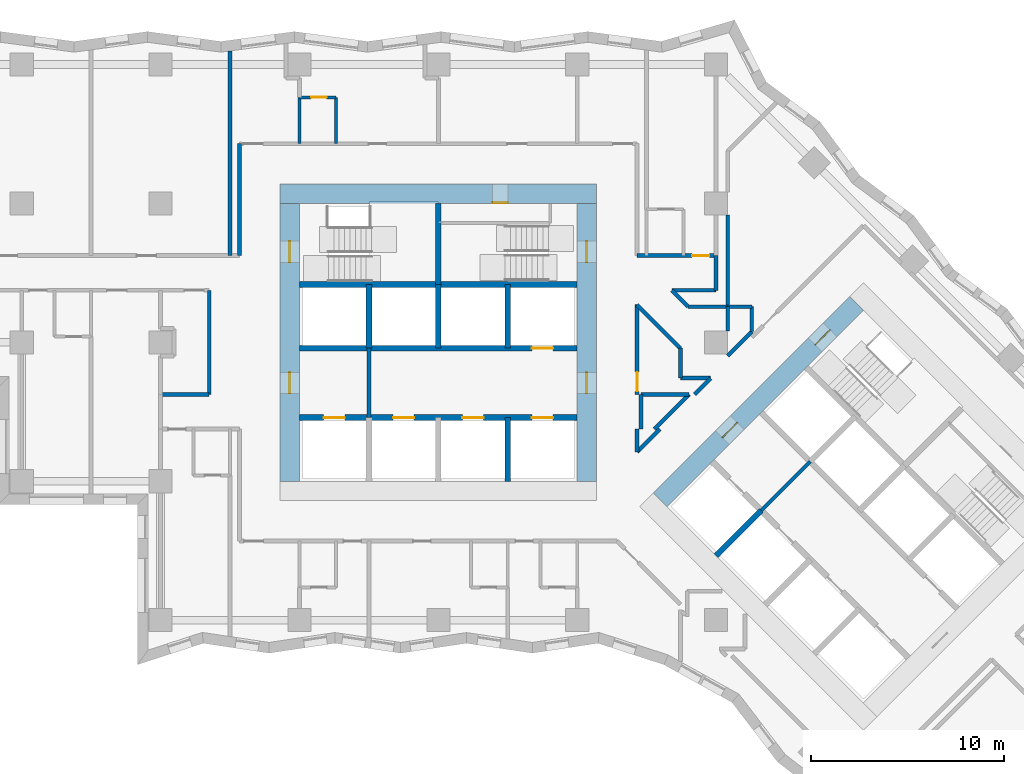
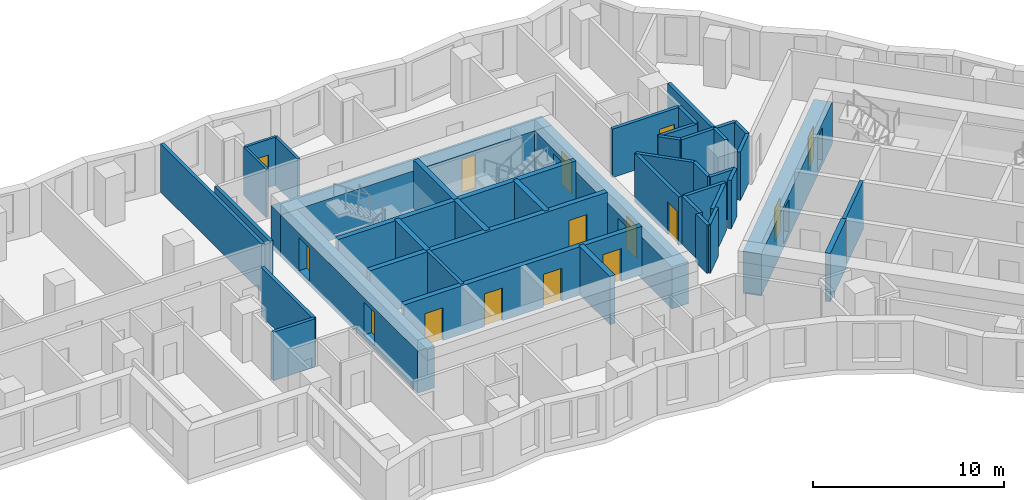
# One storey, part 5 of 12: 43 walls, 15 doors, 15 openings.
"""IFC4 building model written with IfcOpenShell, lengths in metres."""

from ifc_helpers import new_model, si_unit, direction, frame, frame_2d, origin, place, context, subcontext, project, spatial, rectangle, extrude, material, layer, layer_set, type_object, element, fill, save


model = new_model("IFC4")

# Units and contexts
model_context = context("Model", 3, precision=1e-05, world=origin(), true_north=direction((0.0, 1.0)))
body_context = subcontext(model_context, "Body", "Model", "MODEL_VIEW")
ifc_project = project(units=[si_unit("LENGTHUNIT", "METRE"), si_unit("AREAUNIT", "SQUARE_METRE"), si_unit("VOLUMEUNIT", "CUBIC_METRE"), si_unit("PLANEANGLEUNIT", "RADIAN"), si_unit("MASSUNIT", "GRAM", prefix="KILO")], contexts=[model_context])

# Site, building, storey
site_placement = place(None, origin())
site = spatial("IfcSite", under=ifc_project, at=site_placement, CompositionType="ELEMENT")
building_placement = place(site_placement, origin())
building = spatial("IfcBuilding", under=site, at=building_placement, Name="Windrow Commons", CompositionType="ELEMENT")
storey_placement = place(building_placement, frame((0.0, 0.0, 50.8)))
storey = spatial("IfcBuildingStorey", under=building, at=storey_placement, Name="L13", CompositionType="ELEMENT", Elevation=50.8)

# Walls
ifc_material_1 = material(Name="Blockwork partition", Category="masonry")
ifc_layer_1 = layer(ifc_material_1, 0.2)
ifc_layer_set_1 = layer_set([ifc_layer_1], Name="Fire lobby partition 200")
wall_type_1 = type_object("IfcWallType", Name="Fire lobby partition 200", PredefinedType="PARTITIONING", material=ifc_layer_set_1)
for number, where, z_axis, x_axis, name in (
    (1, (61.2, 53.7, 0.0), (0.0, 0.0, 1.0), (0.0, 1.0, 0.0), "W-core-lobby-A-L13"),
    (2, (81.5335, 48.8776, 0.0), (0.0, 0.0, 1.0), (0.707092892, 0.7071206701, 0.0), "W-core-lobby-B-L13"),
):
    element("IfcWall", number, at=place(storey_placement, frame(where, z_axis=z_axis, x_axis=x_axis)), inside=storey, type_object=wall_type_1, Name=name, PredefinedType="PARTITIONING", context=body_context, shape_type="SweptSolid", body=[
        extrude(rectangle(XDim=3.6, YDim=0.2, at=frame_2d((1.8, 0.0))), origin(), (0.0, 0.0, 1.0), 3.1),
    ])
ifc_material_2 = material(Name="Blockwork partition", Category="masonry")
ifc_layer_2 = layer(ifc_material_2, 0.2)
ifc_layer_set_2 = layer_set([ifc_layer_2], Name="IW-CORRIDOR-200")
wall_type_2 = type_object("IfcWallType", Name="IW-CORRIDOR-200", PredefinedType="PARTITIONING", material=ifc_layer_set_2)
wall_1_placement = place(storey_placement, frame((54.5, 62.102, 0.0), z_axis=(0.0, 0.0, 1.0), x_axis=(0.0, 1.0, 0.0)))
element("IfcWall", 3, at=wall_1_placement, inside=storey, type_object=wall_type_2, Name="W-L13-W033", PredefinedType="PARTITIONING", context=body_context, shape_type="SweptSolid", body=[
    extrude(rectangle(XDim=5.798, YDim=0.2, at=frame_2d((2.899, 0.0))), origin(), (0.0, 0.0, 1.0), 3.1),
])
wall_2_placement = place(storey_placement, frame((52.92, 54.9, 0.0), z_axis=(0.0, 0.0, 1.0), x_axis=(0.0, 1.0, 0.0)))
element("IfcWall", 4, at=wall_2_placement, inside=storey, type_object=wall_type_2, Name="W-L13-W039", PredefinedType="PARTITIONING", context=body_context, shape_type="SweptSolid", body=[
    extrude(rectangle(XDim=5.4, YDim=0.2, at=frame_2d((2.7, 0.0))), origin(), (0.0, 0.0, 1.0), 3.1),
])

# Wall, opening, door
wall_3_placement = place(storey_placement, frame((75.1, 54.9, 0.0), z_axis=(0.0, 0.0, 1.0), x_axis=(0.0, 1.0, 0.0)))
wall_3 = element("IfcWall", 5, at=wall_3_placement, inside=storey, type_object=wall_type_2, Name="W-L13-W043", PredefinedType="PARTITIONING", context=body_context, shape_type="SweptSolid", body=[
    extrude(rectangle(XDim=4.652, YDim=0.2, at=frame_2d((2.326, 0.0))), origin(), (0.0, 0.0, 1.0), 3.1),
])
opening_1_placement = place(wall_3_placement, frame((0.1613, 0.0, 0.0)))
opening_1 = element("IfcOpeningElement", 6, at=opening_1_placement, cuts=wall_3, Name="Opening D410F", PredefinedType="OPENING", context=body_context, shape_type="SweptSolid", body=[
    extrude(rectangle(XDim=1.0, YDim=2.1, at=frame_2d((0.5, 1.05))), frame((0.0, 0.11, 0.0), z_axis=(0.0, -1.0, 0.0), x_axis=(1.0, 0.0, 0.0)), (0.0, 0.0, 1.0), 0.22),
])
ifc_material_3 = material(Name="Timber door leaf", Category="wood")
door_type_1 = type_object("IfcDoorType", Name="DT-SERVICE-1000", OperationType="SINGLE_SWING_LEFT", PredefinedType="DOOR", material=ifc_material_3)
door_1_placement = place(opening_1_placement, origin())
door_1 = element("IfcDoor", 7, at=door_1_placement, inside=storey, type_object=door_type_1, Name="D-L13-D000", OperationType="SINGLE_SWING_LEFT", OverallHeight=2.1, OverallWidth=1.0, PredefinedType="DOOR", context=body_context, shape_type="SweptSolid", body=[
    extrude(rectangle(XDim=1.0, YDim=2.1, at=frame_2d((0.5, 1.05))), frame((0.0, 0.025, 0.0), z_axis=(0.0, -1.0, 0.0), x_axis=(1.0, 0.0, 0.0)), (0.0, 0.0, 1.0), 0.05),
])
fill(opening_1, door_1)

wall_4_placement = place(storey_placement, frame((75.102, 62.1, 0.0), z_axis=(0.0, 0.0, 1.0), x_axis=(1.0, 0.0, 0.0)))
wall_4 = element("IfcWall", 8, at=wall_4_placement, inside=storey, type_object=wall_type_2, Name="W-L13-W049", PredefinedType="PARTITIONING", context=body_context, shape_type="SweptSolid", body=[
    extrude(rectangle(XDim=4.098, YDim=0.2, at=frame_2d((2.049, 0.0))), origin(), (0.0, 0.0, 1.0), 3.1),
])
opening_2_placement = place(wall_4_placement, frame((2.848, 0.0, 0.0)))
opening_2 = element("IfcOpeningElement", 9, at=opening_2_placement, cuts=wall_4, Name="Opening D109S", PredefinedType="OPENING", context=body_context, shape_type="SweptSolid", body=[
    extrude(rectangle(XDim=0.9, YDim=2.1, at=frame_2d((0.45, 1.05))), frame((0.0, 0.11, 0.0), z_axis=(0.0, -1.0, 0.0), x_axis=(1.0, 0.0, 0.0)), (0.0, 0.0, 1.0), 0.22),
])
ifc_material_4 = material(Name="Timber door leaf", Category="wood")
door_type_2 = type_object("IfcDoorType", Name="DT-BEDROOM-900", OperationType="SINGLE_SWING_LEFT", PredefinedType="DOOR", material=ifc_material_4)
door_2_placement = place(opening_2_placement, origin())
door_2 = element("IfcDoor", 10, at=door_2_placement, inside=storey, type_object=door_type_2, Name="D-L13-D012", OperationType="SINGLE_SWING_LEFT", OverallHeight=2.1, OverallWidth=0.9, PredefinedType="DOOR", context=body_context, shape_type="SweptSolid", body=[
    extrude(rectangle(XDim=0.9, YDim=2.1, at=frame_2d((0.45, 1.05))), frame((0.0, 0.025, 0.0), z_axis=(0.0, -1.0, 0.0), x_axis=(1.0, 0.0, 0.0)), (0.0, 0.0, 1.0), 0.05),
])
fill(opening_2, door_2)

# Walls
wall_5_placement = place(storey_placement, frame((75.0986, 59.5486, 0.0), z_axis=(0.0, 0.0, 1.0), x_axis=(0.7071067812, -0.7071067812, 0.0)))
element("IfcWall", 11, at=wall_5_placement, inside=storey, type_object=wall_type_2, Name="W-L13-W055", PredefinedType="PARTITIONING", context=body_context, shape_type="SweptSolid", body=[
    extrude(rectangle(XDim=3.1792, YDim=0.2, at=frame_2d((1.5896, 0.0))), origin(), (0.0, 0.0, 1.0), 3.1),
])
wall_6_placement = place(storey_placement, frame((75.9971, 53.1009, 0.0), z_axis=(0.0, 0.0, 1.0), x_axis=(0.7071067812, 0.7071067812, 0.0)))
element("IfcWall", 12, at=wall_6_placement, inside=storey, type_object=wall_type_2, Name="W-L13-W062", PredefinedType="PARTITIONING", context=body_context, shape_type="SweptSolid", body=[
    extrude(rectangle(XDim=2.5456, YDim=0.2, at=frame_2d((1.2728, 0.0))), origin(), (0.0, 0.0, 1.0), 3.1),
])
wall_7_placement = place(storey_placement, frame((50.4, 54.9, 0.0), z_axis=(0.0, 0.0, 1.0), x_axis=(1.0, 0.0, 0.0)))
element("IfcWall", 13, at=wall_7_placement, inside=storey, type_object=wall_type_2, Name="W-L13-W063", PredefinedType="PARTITIONING", context=body_context, shape_type="SweptSolid", body=[
    extrude(rectangle(XDim=2.51, YDim=0.2, at=frame_2d((1.255, 0.0))), origin(), (0.0, 0.0, 1.0), 3.1),
])
wall_8_placement = place(storey_placement, frame((76.902, 60.3, 0.0), z_axis=(0.0, 0.0, 1.0), x_axis=(1.0, 0.0, 0.0)))
element("IfcWall", 14, at=wall_8_placement, inside=storey, type_object=wall_type_2, Name="W-L13-W094", PredefinedType="PARTITIONING", context=body_context, shape_type="SweptSolid", body=[
    extrude(rectangle(XDim=2.298, YDim=0.2, at=frame_2d((1.149, 0.0))), origin(), (0.0, 0.0, 1.0), 3.1),
])
wall_9_placement = place(storey_placement, frame((77.75, 59.45, 0.0), z_axis=(0.0, 0.0, 1.0), x_axis=(1.0, 0.0, 0.0)))
element("IfcWall", 15, at=wall_9_placement, inside=storey, type_object=wall_type_2, Name="W-L13-W104", PredefinedType="PARTITIONING", context=body_context, shape_type="SweptSolid", body=[
    extrude(rectangle(XDim=2.05, YDim=0.2, at=frame_2d((1.025, 0.0))), origin(), (0.0, 0.0, 1.0), 3.1),
])
for number, where, z_axis, x_axis, name in (
    (16, (79.2, 60.3, 0.0), (0.0, 0.0, 1.0), (0.0, 1.0, 0.0), "W-L13-W127"),
    (17, (75.3, 53.1, 0.0), (0.0, 0.0, 1.0), (0.0, 1.0, 0.0), "W-L13-W129"),
):
    element("IfcWall", number, at=place(storey_placement, frame(where, z_axis=z_axis, x_axis=x_axis)), inside=storey, type_object=wall_type_2, Name=name, PredefinedType="PARTITIONING", context=body_context, shape_type="SweptSolid", body=[
        extrude(rectangle(XDim=1.8, YDim=0.2, at=frame_2d((0.9, 0.0))), origin(), (0.0, 0.0, 1.0), 3.1),
    ])
wall_10_placement = place(storey_placement, frame((79.8011, 56.9049, 0.0), z_axis=(0.0, 0.0, 1.0), x_axis=(0.7071067812, 0.7071067812, 0.0)))
element("IfcWall", 18, at=wall_10_placement, inside=storey, type_object=wall_type_2, Name="W-L13-W132", PredefinedType="PARTITIONING", context=body_context, shape_type="SweptSolid", body=[
    extrude(rectangle(XDim=1.7649, YDim=0.2, at=frame_2d((0.8824, 0.0))), origin(), (0.0, 0.0, 1.0), 3.1),
])
wall_11_placement = place(storey_placement, frame((75.1015, 51.9225, 0.0), z_axis=(0.0, 0.0, 1.0), x_axis=(0.7071067812, 0.7071067812, 0.0)))
element("IfcWall", 19, at=wall_11_placement, inside=storey, type_object=wall_type_2, Name="W-L13-W135", PredefinedType="PARTITIONING", context=body_context, shape_type="SweptSolid", body=[
    extrude(rectangle(XDim=1.6631, YDim=0.2, at=frame_2d((0.8316, 0.0))), origin(), (0.0, 0.0, 1.0), 3.1),
])
for number, where, z_axis, x_axis, name in (
    (20, (77.35, 55.752, 0.0), (0.0, 0.0, 1.0), (0.0, 1.0, 0.0), "W-L13-W136"),
    (21, (77.352, 55.75, 0.0), (0.0, 0.0, 1.0), (1.0, 0.0, 0.0), "W-L13-W137"),
):
    element("IfcWall", number, at=place(storey_placement, frame(where, z_axis=z_axis, x_axis=x_axis)), inside=storey, type_object=wall_type_2, Name=name, PredefinedType="PARTITIONING", context=body_context, shape_type="SweptSolid", body=[
        extrude(rectangle(XDim=1.552, YDim=0.2, at=frame_2d((0.776, 0.0))), origin(), (0.0, 0.0, 1.0), 3.1),
    ])
wall_12_placement = place(storey_placement, frame((79.8, 58.2, 0.0), z_axis=(0.0, 0.0, 1.0), x_axis=(0.0, 1.0, 0.0)))
element("IfcWall", 22, at=wall_12_placement, inside=storey, type_object=wall_type_2, Name="W-L13-W143", PredefinedType="PARTITIONING", context=body_context, shape_type="SweptSolid", body=[
    extrude(rectangle(XDim=1.25, YDim=0.2, at=frame_2d((0.625, 0.0))), origin(), (0.0, 0.0, 1.0), 3.1),
])
wall_13_placement = place(storey_placement, frame((76.8974, 60.2954, 0.0), z_axis=(0.0, 0.0, 1.0), x_axis=(0.7071067812, -0.7071067812, 0.0)))
element("IfcWall", 23, at=wall_13_placement, inside=storey, type_object=wall_type_2, Name="W-L13-W145", PredefinedType="PARTITIONING", context=body_context, shape_type="SweptSolid", body=[
    extrude(rectangle(XDim=1.1993, YDim=0.2, at=frame_2d((0.5997, 0.0))), origin(), (0.0, 0.0, 1.0), 3.1),
])
wall_14_placement = place(storey_placement, frame((78.0795, 54.9005, 0.0), z_axis=(0.0, 0.0, 1.0), x_axis=(0.7071067812, 0.7071067812, 0.0)))
element("IfcWall", 24, at=wall_14_placement, inside=storey, type_object=wall_type_2, Name="W-L13-W146", PredefinedType="PARTITIONING", context=body_context, shape_type="SweptSolid", body=[
    extrude(rectangle(XDim=1.1823, YDim=0.2, at=frame_2d((0.5911, 0.0))), origin(), (0.0, 0.0, 1.0), 3.1),
])
wall_15_placement = place(storey_placement, frame((75.1, 51.922, 0.0), z_axis=(0.0, 0.0, 1.0), x_axis=(0.0, 1.0, 0.0)))
element("IfcWall", 25, at=wall_15_placement, inside=storey, type_object=wall_type_2, Name="W-L13-W147", PredefinedType="PARTITIONING", context=body_context, shape_type="SweptSolid", body=[
    extrude(rectangle(XDim=1.178, YDim=0.2, at=frame_2d((0.589, 0.0))), origin(), (0.0, 0.0, 1.0), 3.1),
])
ifc_material_5 = material(Name="Blockwork partition", Category="masonry")
ifc_layer_3 = layer(ifc_material_5, 0.15)
ifc_layer_set_3 = layer_set([ifc_layer_3], Name="IW-ENSUITE-150")
wall_type_3 = type_object("IfcWallType", Name="IW-ENSUITE-150", PredefinedType="PARTITIONING", material=ifc_layer_set_3)
for number, where, z_axis, x_axis, name in (
    (26, (59.5, 67.9, 0.0), (0.0, 0.0, 1.0), (0.0, 1.0, 0.0), "W-L13-W082"),
    (27, (57.6, 67.9, 0.0), (0.0, 0.0, 1.0), (0.0, 1.0, 0.0), "W-L13-W083"),
):
    element("IfcWall", number, at=place(storey_placement, frame(where, z_axis=z_axis, x_axis=x_axis)), inside=storey, type_object=wall_type_3, Name=name, PredefinedType="PARTITIONING", context=body_context, shape_type="SweptSolid", body=[
        extrude(rectangle(XDim=2.4, YDim=0.15, at=frame_2d((1.2, 0.0))), origin(), (0.0, 0.0, 1.0), 3.1),
    ])

# Wall, opening, door
wall_16_placement = place(storey_placement, frame((57.6, 70.3, 0.0), z_axis=(0.0, 0.0, 1.0), x_axis=(1.0, 0.0, 0.0)))
wall_16 = element("IfcWall", 28, at=wall_16_placement, inside=storey, type_object=wall_type_3, Name="W-L13-W115", PredefinedType="PARTITIONING", context=body_context, shape_type="SweptSolid", body=[
    extrude(rectangle(XDim=1.9, YDim=0.15, at=frame_2d((0.95, 0.0))), origin(), (0.0, 0.0, 1.0), 3.1),
])
opening_3_placement = place(wall_16_placement, frame((0.6069, 0.0, 0.0)))
opening_3 = element("IfcOpeningElement", 29, at=opening_3_placement, cuts=wall_16, Name="Opening D208N", PredefinedType="OPENING", context=body_context, shape_type="SweptSolid", body=[
    extrude(rectangle(XDim=0.8, YDim=2.1, at=frame_2d((0.4, 1.05))), frame((0.0, 0.085, 0.0), z_axis=(0.0, -1.0, 0.0), x_axis=(1.0, 0.0, 0.0)), (0.0, 0.0, 1.0), 0.17),
])
ifc_material_6 = material(Name="Timber door leaf", Category="wood")
door_type_3 = type_object("IfcDoorType", Name="DT-ENSUITE-800", OperationType="SINGLE_SWING_LEFT", PredefinedType="DOOR", material=ifc_material_6)
door_3_placement = place(opening_3_placement, origin())
door_3 = element("IfcDoor", 30, at=door_3_placement, inside=storey, type_object=door_type_3, Name="D-L13-D023", OperationType="SINGLE_SWING_RIGHT", OverallHeight=2.1, OverallWidth=0.8, PredefinedType="DOOR", context=body_context, shape_type="SweptSolid", body=[
    extrude(rectangle(XDim=0.8, YDim=2.1, at=frame_2d((0.4, 1.05))), frame((0.0, 0.025, 0.0), z_axis=(0.0, -1.0, 0.0), x_axis=(1.0, 0.0, 0.0)), (0.0, 0.0, 1.0), 0.05),
])
fill(opening_3, door_3)

# Walls
ifc_material_7 = material(Name="Blockwork partition", Category="masonry")
ifc_layer_4 = layer(ifc_material_7, 0.2)
ifc_layer_set_4 = layer_set([ifc_layer_4], Name="IW-PARTY-200")
wall_type_4 = type_object("IfcWallType", Name="IW-PARTY-200", PredefinedType="PARTITIONING", material=ifc_layer_set_4)
wall_17_placement = place(storey_placement, frame((54.0, 62.1, 0.0), z_axis=(0.0, 0.0, 1.0), x_axis=(0.0, 1.0, 0.0)))
element("IfcWall", 31, at=wall_17_placement, inside=storey, type_object=wall_type_4, Name="W-L13-W011", PredefinedType="PARTITIONING", context=body_context, shape_type="SweptSolid", body=[
    extrude(rectangle(XDim=10.6087, YDim=0.2, at=frame_2d((5.3044, 0.0))), origin(), (0.0, 0.0, 1.0), 3.1),
])
wall_18_placement = place(storey_placement, frame((79.8, 59.45, 0.0), z_axis=(0.0, 0.0, 1.0), x_axis=(0.0, 1.0, 0.0)))
element("IfcWall", 32, at=wall_18_placement, inside=storey, type_object=wall_type_4, Name="W-L13-W041", PredefinedType="PARTITIONING", context=body_context, shape_type="SweptSolid", body=[
    extrude(rectangle(XDim=4.75, YDim=0.2, at=frame_2d((2.375, 0.0))), origin(), (0.0, 0.0, 1.0), 3.1),
])
wall_19_placement = place(storey_placement, frame((75.3, 54.9, 0.0), z_axis=(0.0, 0.0, 1.0), x_axis=(1.0, 0.0, 0.0)))
element("IfcWall", 33, at=wall_19_placement, inside=storey, type_object=wall_type_4, Name="W-L13-W064", PredefinedType="PARTITIONING", context=body_context, shape_type="SweptSolid", body=[
    extrude(rectangle(XDim=2.498, YDim=0.2, at=frame_2d((1.249, 0.0))), origin(), (0.0, 0.0, 1.0), 3.1),
])
wall_20_placement = place(storey_placement, frame((81.05, 58.152, 0.0), z_axis=(0.0, 0.0, 1.0), x_axis=(0.0, 1.0, 0.0)))
element("IfcWall", 34, at=wall_20_placement, inside=storey, type_object=wall_type_4, Name="W-L13-W142", PredefinedType="PARTITIONING", context=body_context, shape_type="SweptSolid", body=[
    extrude(rectangle(XDim=1.296, YDim=0.2, at=frame_2d((0.648, 0.0))), origin(), (0.0, 0.0, 1.0), 3.1),
])
wall_21_placement = place(storey_placement, frame((79.8, 59.45, 0.0), z_axis=(0.0, 0.0, 1.0), x_axis=(1.0, 0.0, 0.0)))
element("IfcWall", 35, at=wall_21_placement, inside=storey, type_object=wall_type_4, Name="W-L13-W144", PredefinedType="PARTITIONING", context=body_context, shape_type="SweptSolid", body=[
    extrude(rectangle(XDim=1.248, YDim=0.2, at=frame_2d((0.624, 0.0))), origin(), (0.0, 0.0, 1.0), 3.1),
])

# Wall, opening, door
ifc_material_8 = material(Name="Concrete C60/75", Category="concrete")
ifc_layer_5 = layer(ifc_material_8, 1.0)
ifc_layer_set_5 = layer_set([ifc_layer_5], Name="RC CORE WALL 1000 C60/75")
wall_type_5 = type_object("IfcWallType", Name="RC CORE WALL 1000 C60/75", PredefinedType="SHEAR", material=ifc_layer_set_5)
wall_22_placement = place(storey_placement, frame((56.6, 65.3, -0.3), z_axis=(0.0, 0.0, 1.0), x_axis=(1.0, 0.0, 0.0)))
wall_22 = element("IfcWall", 36, at=wall_22_placement, inside=storey, type_object=wall_type_5, Name="Core A wall outer-N", PredefinedType="SHEAR", context=body_context, shape_type="SweptSolid", body=[
    extrude(rectangle(XDim=16.4, YDim=1.0, at=frame_2d((8.2, 0.0))), origin(), (0.0, 0.0, 1.0), 2.7),
])
opening_4_placement = place(wall_22_placement, frame((11.0, 0.0, 0.3)))
opening_4 = element("IfcOpeningElement", 37, at=opening_4_placement, cuts=wall_22, Name="Opening D9", PredefinedType="OPENING", context=body_context, shape_type="SweptSolid", body=[
    extrude(rectangle(XDim=0.8, YDim=2.1, at=frame_2d((0.4, 1.05))), frame((0.0, 0.51, 0.0), z_axis=(0.0, -1.0, 0.0), x_axis=(1.0, 0.0, 0.0)), (0.0, 0.0, 1.0), 1.02),
])
ifc_material_9 = material(Name="Steel fire door leaf", Category="steel")
door_type_4 = type_object("IfcDoorType", Name="Riser access door 800", OperationType="SINGLE_SWING_LEFT", PredefinedType="DOOR", material=ifc_material_9)
door_4_placement = place(opening_4_placement, origin())
door_4 = element("IfcDoor", 38, at=door_4_placement, inside=storey, type_object=door_type_4, Name="Riser access door", OperationType="SINGLE_SWING_RIGHT", OverallHeight=2.1, OverallWidth=0.8, PredefinedType="DOOR", context=body_context, shape_type="SweptSolid", body=[
    extrude(rectangle(XDim=0.8, YDim=2.1, at=frame_2d((0.4, 1.05))), frame((0.0, -0.44, 0.0), z_axis=(0.0, -1.0, 0.0), x_axis=(1.0, 0.0, 0.0)), (0.0, 0.0, 1.0), 0.05),
])
fill(opening_4, door_4)

# Wall, openings, doors
wall_23_placement = place(storey_placement, frame((57.1, 50.4, -0.3), z_axis=(0.0, 0.0, 1.0), x_axis=(0.0, 1.0, 0.0)))
wall_23 = element("IfcWall", 39, at=wall_23_placement, inside=storey, type_object=wall_type_5, Name="Core A wall outer-W", PredefinedType="SHEAR", context=body_context, shape_type="SweptSolid", body=[
    extrude(rectangle(XDim=14.4, YDim=1.0, at=frame_2d((7.2, 0.0))), origin(), (0.0, 0.0, 1.0), 2.7),
])
opening_5_placement = place(wall_23_placement, frame((4.55, 0.0, 0.3)))
opening_5 = element("IfcOpeningElement", 40, at=opening_5_placement, cuts=wall_23, Name="Opening D6", PredefinedType="OPENING", context=body_context, shape_type="SweptSolid", body=[
    extrude(rectangle(XDim=1.1, YDim=2.1, at=frame_2d((0.55, 1.05))), frame((0.0, 0.51, 0.0), z_axis=(0.0, -1.0, 0.0), x_axis=(1.0, 0.0, 0.0)), (0.0, 0.0, 1.0), 1.02),
])
opening_6_placement = place(wall_23_placement, frame((11.35, 0.0, 0.3)))
opening_6 = element("IfcOpeningElement", 41, at=opening_6_placement, cuts=wall_23, Name="Opening D7", PredefinedType="OPENING", context=body_context, shape_type="SweptSolid", body=[
    extrude(rectangle(XDim=1.1, YDim=2.1, at=frame_2d((0.55, 1.05))), frame((0.0, 0.51, 0.0), z_axis=(0.0, -1.0, 0.0), x_axis=(1.0, 0.0, 0.0)), (0.0, 0.0, 1.0), 1.02),
])
ifc_material_10 = material(Name="Steel fire door leaf", Category="steel")
door_type_5 = type_object("IfcDoorType", Name="Core lobby door 1100", OperationType="SINGLE_SWING_LEFT", PredefinedType="DOOR", material=ifc_material_10)
door_5_placement = place(opening_5_placement, origin())
door_5 = element("IfcDoor", 42, at=door_5_placement, inside=storey, type_object=door_type_5, Name="Lift lobby door", OperationType="DOUBLE_DOOR_SINGLE_SWING", OverallHeight=2.1, OverallWidth=1.1, PredefinedType="DOOR", context=body_context, shape_type="SweptSolid", body=[
    extrude(rectangle(XDim=1.1, YDim=2.1, at=frame_2d((0.55, 1.05))), frame((0.0, 0.025, 0.0), z_axis=(0.0, -1.0, 0.0), x_axis=(1.0, 0.0, 0.0)), (0.0, 0.0, 1.0), 0.05),
])
fill(opening_5, door_5)
ifc_material_11 = material(Name="Steel fire door leaf", Category="steel")
door_type_6 = type_object("IfcDoorType", Name="Stair door 1100", OperationType="SINGLE_SWING_LEFT", PredefinedType="DOOR", material=ifc_material_11)
door_6_placement = place(opening_6_placement, origin())
door_6 = element("IfcDoor", 43, at=door_6_placement, inside=storey, type_object=door_type_6, Name="Stair door", OperationType="SINGLE_SWING_LEFT", OverallHeight=2.1, OverallWidth=1.1, PredefinedType="DOOR", context=body_context, shape_type="SweptSolid", body=[
    extrude(rectangle(XDim=1.1, YDim=2.1, at=frame_2d((0.55, 1.05))), frame((0.0, 0.025, 0.0), z_axis=(0.0, -1.0, 0.0), x_axis=(1.0, 0.0, 0.0)), (0.0, 0.0, 1.0), 0.05),
])
fill(opening_6, door_6)

wall_24_placement = place(storey_placement, frame((72.5, 50.4, -0.3), z_axis=(0.0, 0.0, 1.0), x_axis=(0.0, 1.0, 0.0)))
wall_24 = element("IfcWall", 44, at=wall_24_placement, inside=storey, type_object=wall_type_5, Name="Core A wall outer-E", PredefinedType="SHEAR", context=body_context, shape_type="SweptSolid", body=[
    extrude(rectangle(XDim=14.4, YDim=1.0, at=frame_2d((7.2, 0.0))), origin(), (0.0, 0.0, 1.0), 2.7),
])
opening_7_placement = place(wall_24_placement, frame((4.55, 0.0, 0.3)))
opening_7 = element("IfcOpeningElement", 45, at=opening_7_placement, cuts=wall_24, Name="Opening D6", PredefinedType="OPENING", context=body_context, shape_type="SweptSolid", body=[
    extrude(rectangle(XDim=1.1, YDim=2.1, at=frame_2d((0.55, 1.05))), frame((0.0, 0.51, 0.0), z_axis=(0.0, -1.0, 0.0), x_axis=(1.0, 0.0, 0.0)), (0.0, 0.0, 1.0), 1.02),
])
opening_8_placement = place(wall_24_placement, frame((11.35, 0.0, 0.3)))
opening_8 = element("IfcOpeningElement", 46, at=opening_8_placement, cuts=wall_24, Name="Opening D7", PredefinedType="OPENING", context=body_context, shape_type="SweptSolid", body=[
    extrude(rectangle(XDim=1.1, YDim=2.1, at=frame_2d((0.55, 1.05))), frame((0.0, 0.51, 0.0), z_axis=(0.0, -1.0, 0.0), x_axis=(1.0, 0.0, 0.0)), (0.0, 0.0, 1.0), 1.02),
])
door_7_placement = place(opening_7_placement, origin())
door_7 = element("IfcDoor", 47, at=door_7_placement, inside=storey, type_object=door_type_5, Name="Lift lobby door", OperationType="DOUBLE_DOOR_SINGLE_SWING", OverallHeight=2.1, OverallWidth=1.1, PredefinedType="DOOR", context=body_context, shape_type="SweptSolid", body=[
    extrude(rectangle(XDim=1.1, YDim=2.1, at=frame_2d((0.55, 1.05))), frame((0.0, 0.025, 0.0), z_axis=(0.0, -1.0, 0.0), x_axis=(1.0, 0.0, 0.0)), (0.0, 0.0, 1.0), 0.05),
])
fill(opening_7, door_7)
door_8_placement = place(opening_8_placement, origin())
door_8 = element("IfcDoor", 48, at=door_8_placement, inside=storey, type_object=door_type_6, Name="Stair door", OperationType="SINGLE_SWING_RIGHT", OverallHeight=2.1, OverallWidth=1.1, PredefinedType="DOOR", context=body_context, shape_type="SweptSolid", body=[
    extrude(rectangle(XDim=1.1, YDim=2.1, at=frame_2d((0.55, 1.05))), frame((0.0, 0.025, 0.0), z_axis=(0.0, -1.0, 0.0), x_axis=(1.0, 0.0, 0.0)), (0.0, 0.0, 1.0), 0.05),
])
fill(opening_8, door_8)

wall_25_placement = place(storey_placement, frame((76.3009, 49.4433, -0.3), z_axis=(0.0, 0.0, 1.0), x_axis=(0.7071067812, 0.7071067812, 0.0)))
wall_25 = element("IfcWall", 49, at=wall_25_placement, inside=storey, type_object=wall_type_5, Name="Core B wall outer-W", PredefinedType="SHEAR", context=body_context, shape_type="SweptSolid", body=[
    extrude(rectangle(XDim=14.3999, YDim=1.0, at=frame_2d((7.2, 0.0))), origin(), (0.0, 0.0, 1.0), 2.7),
])
opening_9_placement = place(wall_25_placement, frame((4.55, 0.0, 0.3)))
opening_9 = element("IfcOpeningElement", 50, at=opening_9_placement, cuts=wall_25, Name="Opening D6", PredefinedType="OPENING", context=body_context, shape_type="SweptSolid", body=[
    extrude(rectangle(XDim=1.1, YDim=2.1, at=frame_2d((0.55, 1.05))), frame((0.0, 0.51, 0.0), z_axis=(0.0, -1.0, 0.0), x_axis=(1.0, 0.0, 0.0)), (0.0, 0.0, 1.0), 1.02),
])
opening_10_placement = place(wall_25_placement, frame((11.35, 0.0, 0.3)))
opening_10 = element("IfcOpeningElement", 51, at=opening_10_placement, cuts=wall_25, Name="Opening D7", PredefinedType="OPENING", context=body_context, shape_type="SweptSolid", body=[
    extrude(rectangle(XDim=1.1, YDim=2.1, at=frame_2d((0.55, 1.05))), frame((0.0, 0.51, 0.0), z_axis=(0.0, -1.0, 0.0), x_axis=(1.0, 0.0, 0.0)), (0.0, 0.0, 1.0), 1.02),
])
door_9_placement = place(opening_9_placement, origin())
door_9 = element("IfcDoor", 52, at=door_9_placement, inside=storey, type_object=door_type_5, Name="Lift lobby door", OperationType="DOUBLE_DOOR_SINGLE_SWING", OverallHeight=2.1, OverallWidth=1.1, PredefinedType="DOOR", context=body_context, shape_type="SweptSolid", body=[
    extrude(rectangle(XDim=1.1, YDim=2.1, at=frame_2d((0.55, 1.05))), frame((0.0, 0.025, 0.0), z_axis=(0.0, -1.0, 0.0), x_axis=(1.0, 0.0, 0.0)), (0.0, 0.0, 1.0), 0.05),
])
fill(opening_9, door_9)
door_10_placement = place(opening_10_placement, origin())
door_10 = element("IfcDoor", 53, at=door_10_placement, inside=storey, type_object=door_type_6, Name="Stair door", OperationType="SINGLE_SWING_LEFT", OverallHeight=2.1, OverallWidth=1.1, PredefinedType="DOOR", context=body_context, shape_type="SweptSolid", body=[
    extrude(rectangle(XDim=1.1, YDim=2.1, at=frame_2d((0.55, 1.05))), frame((0.0, 0.025, 0.0), z_axis=(0.0, -1.0, 0.0), x_axis=(1.0, 0.0, 0.0)), (0.0, 0.0, 1.0), 0.05),
])
fill(opening_10, door_10)

# Walls
ifc_material_12 = material(Name="Concrete C60/75", Category="concrete")
ifc_layer_6 = layer(ifc_material_12, 0.3)
ifc_layer_set_6 = layer_set([ifc_layer_6], Name="RC SHAFT WALL 300 C60/75")
wall_type_6 = type_object("IfcWallType", Name="RC SHAFT WALL 300 C60/75", PredefinedType="SOLIDWALL", material=ifc_layer_set_6)
for number, where, z_axis, x_axis, name in (
    (54, (61.2, 57.3, 0.0), (0.0, 0.0, 1.0), (0.0, 1.0, 0.0), "Core A wall shaft-N1"),
    (55, (64.8, 57.3, 0.0), (0.0, 0.0, 1.0), (0.0, 1.0, 0.0), "Core A wall shaft-N2"),
    (56, (68.4, 50.4, 0.0), (0.0, 0.0, 1.0), (0.0, 1.0, 0.0), "Core A wall shaft-S3"),
    (57, (68.4, 57.3, 0.0), (0.0, 0.0, 1.0), (0.0, 1.0, 0.0), "Core A wall shaft-N3"),
):
    element("IfcWall", number, at=place(storey_placement, frame(where, z_axis=z_axis, x_axis=x_axis)), inside=storey, type_object=wall_type_6, Name=name, PredefinedType="SOLIDWALL", context=body_context, shape_type="SweptSolid", body=[
        extrude(rectangle(XDim=3.3, YDim=0.3, at=frame_2d((1.65, 0.0))), origin(), (0.0, 0.0, 1.0), 3.1),
    ])

# Wall, openings, doors
wall_26_placement = place(storey_placement, frame((57.6, 53.7, 0.0), z_axis=(0.0, 0.0, 1.0), x_axis=(1.0, 0.0, 0.0)))
wall_26 = element("IfcWall", 58, at=wall_26_placement, inside=storey, type_object=wall_type_6, Name="Core A wall lobby-S", PredefinedType="SOLIDWALL", context=body_context, shape_type="SweptSolid", body=[
    extrude(rectangle(XDim=14.4, YDim=0.3, at=frame_2d((7.2, 0.0))), origin(), (0.0, 0.0, 1.0), 3.1),
])
opening_11_placement = place(wall_26_placement, frame((1.25, 0.0, 0.0)))
opening_11 = element("IfcOpeningElement", 59, at=opening_11_placement, cuts=wall_26, Name="Opening LD", PredefinedType="OPENING", context=body_context, shape_type="SweptSolid", body=[
    extrude(rectangle(XDim=1.1, YDim=2.1, at=frame_2d((0.55, 1.05))), frame((0.0, 0.16, 0.0), z_axis=(0.0, -1.0, 0.0), x_axis=(1.0, 0.0, 0.0)), (0.0, 0.0, 1.0), 0.32),
])
opening_12_placement = place(wall_26_placement, frame((4.85, 0.0, 0.0)))
opening_12 = element("IfcOpeningElement", 60, at=opening_12_placement, cuts=wall_26, Name="Opening LD", PredefinedType="OPENING", context=body_context, shape_type="SweptSolid", body=[
    extrude(rectangle(XDim=1.1, YDim=2.1, at=frame_2d((0.55, 1.05))), frame((0.0, 0.16, 0.0), z_axis=(0.0, -1.0, 0.0), x_axis=(1.0, 0.0, 0.0)), (0.0, 0.0, 1.0), 0.32),
])
opening_13_placement = place(wall_26_placement, frame((8.45, 0.0, 0.0)))
opening_13 = element("IfcOpeningElement", 61, at=opening_13_placement, cuts=wall_26, Name="Opening LD", PredefinedType="OPENING", context=body_context, shape_type="SweptSolid", body=[
    extrude(rectangle(XDim=1.1, YDim=2.1, at=frame_2d((0.55, 1.05))), frame((0.0, 0.16, 0.0), z_axis=(0.0, -1.0, 0.0), x_axis=(1.0, 0.0, 0.0)), (0.0, 0.0, 1.0), 0.32),
])
opening_14_placement = place(wall_26_placement, frame((12.05, 0.0, 0.0)))
opening_14 = element("IfcOpeningElement", 62, at=opening_14_placement, cuts=wall_26, Name="Opening LD", PredefinedType="OPENING", context=body_context, shape_type="SweptSolid", body=[
    extrude(rectangle(XDim=1.1, YDim=2.1, at=frame_2d((0.55, 1.05))), frame((0.0, 0.16, 0.0), z_axis=(0.0, -1.0, 0.0), x_axis=(1.0, 0.0, 0.0)), (0.0, 0.0, 1.0), 0.32),
])
ifc_material_13 = material(Name="Stainless steel door leaf", Category="steel")
door_type_7 = type_object("IfcDoorType", Name="Lift landing door 1100", OperationType="SLIDING_TO_LEFT", PredefinedType="DOOR", material=ifc_material_13)
door_11_placement = place(opening_11_placement, origin())
door_11 = element("IfcDoor", 63, at=door_11_placement, inside=storey, type_object=door_type_7, Name="Lift landing door", OperationType="SLIDING_TO_LEFT", OverallHeight=2.1, OverallWidth=1.1, PredefinedType="DOOR", context=body_context, shape_type="SweptSolid", body=[
    extrude(rectangle(XDim=1.1, YDim=2.1, at=frame_2d((0.55, 1.05))), frame((0.0, 0.025, 0.0), z_axis=(0.0, -1.0, 0.0), x_axis=(1.0, 0.0, 0.0)), (0.0, 0.0, 1.0), 0.05),
])
fill(opening_11, door_11)
door_12_placement = place(opening_12_placement, origin())
door_12 = element("IfcDoor", 64, at=door_12_placement, inside=storey, type_object=door_type_7, Name="Lift landing door", OperationType="SLIDING_TO_RIGHT", OverallHeight=2.1, OverallWidth=1.1, PredefinedType="DOOR", context=body_context, shape_type="SweptSolid", body=[
    extrude(rectangle(XDim=1.1, YDim=2.1, at=frame_2d((0.55, 1.05))), frame((0.0, 0.025, 0.0), z_axis=(0.0, -1.0, 0.0), x_axis=(1.0, 0.0, 0.0)), (0.0, 0.0, 1.0), 0.05),
])
fill(opening_12, door_12)
door_13_placement = place(opening_13_placement, origin())
door_13 = element("IfcDoor", 65, at=door_13_placement, inside=storey, type_object=door_type_7, Name="Lift landing door", OperationType="SLIDING_TO_LEFT", OverallHeight=2.1, OverallWidth=1.1, PredefinedType="DOOR", context=body_context, shape_type="SweptSolid", body=[
    extrude(rectangle(XDim=1.1, YDim=2.1, at=frame_2d((0.55, 1.05))), frame((0.0, 0.025, 0.0), z_axis=(0.0, -1.0, 0.0), x_axis=(1.0, 0.0, 0.0)), (0.0, 0.0, 1.0), 0.05),
])
fill(opening_13, door_13)
door_14_placement = place(opening_14_placement, origin())
door_14 = element("IfcDoor", 66, at=door_14_placement, inside=storey, type_object=door_type_7, Name="Lift landing door", OperationType="SLIDING_TO_RIGHT", OverallHeight=2.1, OverallWidth=1.1, PredefinedType="DOOR", context=body_context, shape_type="SweptSolid", body=[
    extrude(rectangle(XDim=1.1, YDim=2.1, at=frame_2d((0.55, 1.05))), frame((0.0, 0.025, 0.0), z_axis=(0.0, -1.0, 0.0), x_axis=(1.0, 0.0, 0.0)), (0.0, 0.0, 1.0), 0.05),
])
fill(opening_14, door_14)

# Wall, opening, door
wall_27_placement = place(storey_placement, frame((57.6, 57.3, 0.0), z_axis=(0.0, 0.0, 1.0), x_axis=(1.0, 0.0, 0.0)))
wall_27 = element("IfcWall", 67, at=wall_27_placement, inside=storey, type_object=wall_type_6, Name="Core A wall lobby-N", PredefinedType="SOLIDWALL", context=body_context, shape_type="SweptSolid", body=[
    extrude(rectangle(XDim=14.4, YDim=0.3, at=frame_2d((7.2, 0.0))), origin(), (0.0, 0.0, 1.0), 3.1),
])
opening_15_placement = place(wall_27_placement, frame((12.05, 0.0, 0.0)))
opening_15 = element("IfcOpeningElement", 68, at=opening_15_placement, cuts=wall_27, Name="Opening LD", PredefinedType="OPENING", context=body_context, shape_type="SweptSolid", body=[
    extrude(rectangle(XDim=1.1, YDim=2.1, at=frame_2d((0.55, 1.05))), frame((0.0, 0.16, 0.0), z_axis=(0.0, -1.0, 0.0), x_axis=(1.0, 0.0, 0.0)), (0.0, 0.0, 1.0), 0.32),
])
door_15_placement = place(opening_15_placement, origin())
door_15 = element("IfcDoor", 69, at=door_15_placement, inside=storey, type_object=door_type_7, Name="Lift landing door", OperationType="SLIDING_TO_RIGHT", OverallHeight=2.1, OverallWidth=1.1, PredefinedType="DOOR", context=body_context, shape_type="SweptSolid", body=[
    extrude(rectangle(XDim=1.1, YDim=2.1, at=frame_2d((0.55, 1.05))), frame((0.0, 0.025, 0.0), z_axis=(0.0, -1.0, 0.0), x_axis=(1.0, 0.0, 0.0)), (0.0, 0.0, 1.0), 0.05),
])
fill(opening_15, door_15)

# Walls
for number, where, z_axis, x_axis, name in (
    (70, (57.6, 60.6, 0.0), (0.0, 0.0, 1.0), (1.0, 0.0, 0.0), "Core A wall stair-S"),
    (71, (64.8, 60.6, 0.0), (0.0, 0.0, 1.0), (1.0, 0.0, 0.0), "Core A wall stair-S2"),
):
    element("IfcWall", number, at=place(storey_placement, frame(where, z_axis=z_axis, x_axis=x_axis)), inside=storey, type_object=wall_type_6, Name=name, PredefinedType="SOLIDWALL", context=body_context, shape_type="SweptSolid", body=[
        extrude(rectangle(XDim=7.2, YDim=0.3, at=frame_2d((3.6, 0.0))), origin(), (0.0, 0.0, 1.0), 3.1),
    ])
wall_28_placement = place(storey_placement, frame((64.8, 60.6, 0.0), z_axis=(0.0, 0.0, 1.0), x_axis=(0.0, 1.0, 0.0)))
element("IfcWall", 72, at=wall_28_placement, inside=storey, type_object=wall_type_6, Name="Core A wall stair-mid", PredefinedType="SOLIDWALL", context=body_context, shape_type="SweptSolid", body=[
    extrude(rectangle(XDim=4.2, YDim=0.3, at=frame_2d((2.1, 0.0))), origin(), (0.0, 0.0, 1.0), 3.1),
])
wall_29_placement = place(storey_placement, frame((79.2, 46.5442, 0.0), z_axis=(0.0, 0.0, 1.0), x_axis=(0.7071219326, 0.7070916295, 0.0)))
element("IfcWall", 73, at=wall_29_placement, inside=storey, type_object=wall_type_6, Name="Core B wall shaft-S1", PredefinedType="SOLIDWALL", context=body_context, shape_type="SweptSolid", body=[
    extrude(rectangle(XDim=3.3, YDim=0.3, at=frame_2d((1.65, 0.0))), origin(), (0.0, 0.0, 1.0), 3.1),
])

save(model, "model.ifc")
